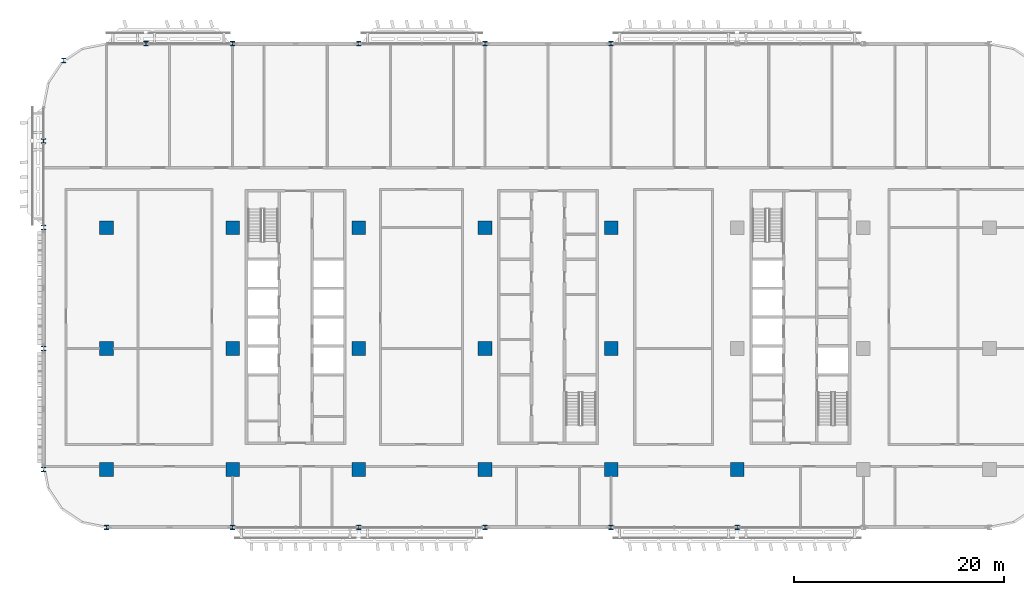
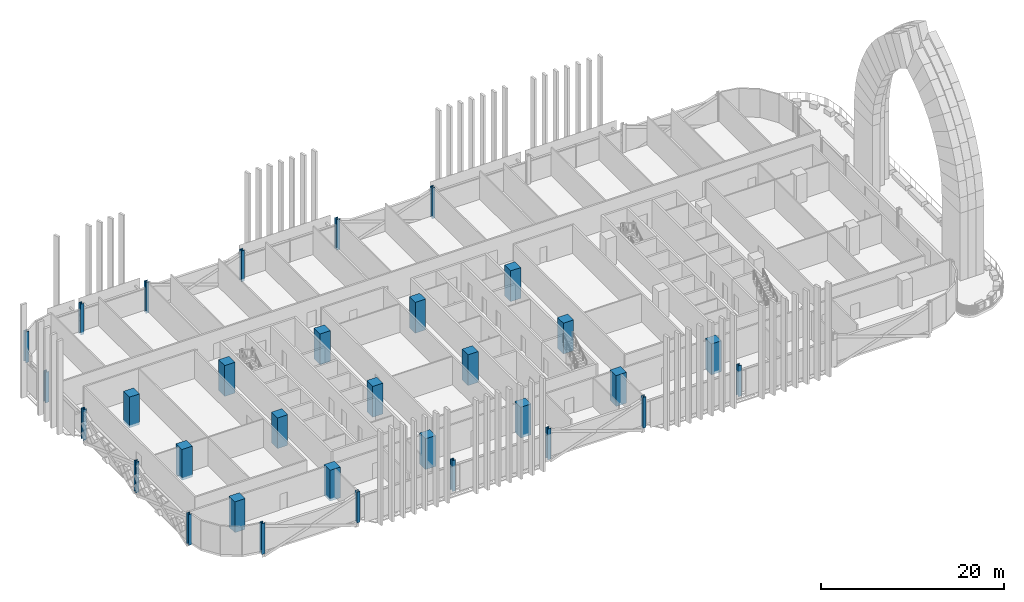
# One storey, part 1 of 33: 32 columns.
"""IFC4 building model written with IfcOpenShell, lengths in metres."""

from ifc_helpers import new_model, si_unit, direction, frame, origin, origin_2d, place, context, subcontext, project, spatial, rectangle, i_section, extrude, material, material_profile, profile_set, type_object, element, save


model = new_model("IFC4")

# Units and contexts
model_context = context("Model", 3, precision=1e-05, world=origin(), true_north=direction((0.0, 1.0)))
body_context = subcontext(model_context, "Body", "Model", "MODEL_VIEW")
ifc_project = project(units=[si_unit("LENGTHUNIT", "METRE"), si_unit("AREAUNIT", "SQUARE_METRE"), si_unit("VOLUMEUNIT", "CUBIC_METRE"), si_unit("PLANEANGLEUNIT", "RADIAN"), si_unit("MASSUNIT", "GRAM", prefix="KILO")], contexts=[model_context])

# Site, building, storey
site_placement = place(None, origin())
site = spatial("IfcSite", under=ifc_project, at=site_placement, CompositionType="ELEMENT")
building_placement = place(site_placement, origin())
building = spatial("IfcBuilding", under=site, at=building_placement, Name="Mahtab Terrace Research Tower", CompositionType="ELEMENT")
storey_placement = place(building_placement, frame((0.0, 0.0, 122.0)))
storey = spatial("IfcBuildingStorey", under=building, at=storey_placement, Name="L28", CompositionType="ELEMENT", Elevation=122.0)

# Columns
ifc_material_1 = material(Name="Concrete C70/85", Category="concrete")
ifc_material_profile_1 = material_profile(ifc_material_1, rectangle(XDim=1.300048828125, YDim=1.300048828125, at=origin_2d()), Name="RC column 1300x1300")
ifc_profile_set_1 = profile_set([ifc_material_profile_1], Name="Concrete C70/85")
column_type_1 = type_object("IfcColumnType", Name="RC column 1300x1300", PredefinedType="COLUMN", material=ifc_profile_set_1)
for number, where, z_axis, x_axis, name in (
    (1, (-42.0, -11.5, -0.340087890625), (0.0, 0.0, 1.0), (1.0, 0.0, 0.0), "Column RC-1A L28"),
    (2, (-42.0, 0.0, -0.340087890625), (0.0, 0.0, 1.0), (1.0, 0.0, 0.0), "Column RC-1B L28"),
    (3, (-42.0, 11.5, -0.340087890625), (0.0, 0.0, 1.0), (1.0, 0.0, 0.0), "Column RC-1C L28"),
    (4, (-30.0, -11.5, -0.340087890625), (0.0, 0.0, 1.0), (1.0, 0.0, 0.0), "Column RC-2A L28"),
    (5, (-30.0, 0.0, -0.340087890625), (0.0, 0.0, 1.0), (1.0, 0.0, 0.0), "Column RC-2B L28"),
    (6, (-30.0, 11.5, -0.340087890625), (0.0, 0.0, 1.0), (1.0, 0.0, 0.0), "Column RC-2C L28"),
    (7, (-18.0, -11.5, -0.340087890625), (0.0, 0.0, 1.0), (1.0, 0.0, 0.0), "Column RC-3A L28"),
    (8, (-18.0, 0.0, -0.340087890625), (0.0, 0.0, 1.0), (1.0, 0.0, 0.0), "Column RC-3B L28"),
    (9, (-18.0, 11.5, -0.340087890625), (0.0, 0.0, 1.0), (1.0, 0.0, 0.0), "Column RC-3C L28"),
    (10, (-6.0, -11.5, -0.340087890625), (0.0, 0.0, 1.0), (1.0, 0.0, 0.0), "Column RC-4A L28"),
    (11, (-6.0, 0.0, -0.340087890625), (0.0, 0.0, 1.0), (1.0, 0.0, 0.0), "Column RC-4B L28"),
    (12, (-6.0, 11.5, -0.340087890625), (0.0, 0.0, 1.0), (1.0, 0.0, 0.0), "Column RC-4C L28"),
    (13, (6.0, -11.5, -0.340087890625), (0.0, 0.0, 1.0), (1.0, 0.0, 0.0), "Column RC-5A L28"),
    (14, (6.0, 0.0, -0.340087890625), (0.0, 0.0, 1.0), (1.0, 0.0, 0.0), "Column RC-5B L28"),
    (15, (6.0, 11.5, -0.340087890625), (0.0, 0.0, 1.0), (1.0, 0.0, 0.0), "Column RC-5C L28"),
    (16, (18.0, -11.5, -0.340087890625), (0.0, 0.0, 1.0), (1.0, 0.0, 0.0), "Column RC-6A L28"),
):
    element("IfcColumn", number, at=place(storey_placement, frame(where, z_axis=z_axis, x_axis=x_axis)), inside=storey, type_object=column_type_1, Name=name, PredefinedType="COLUMN", context=body_context, shape_type="SweptSolid", body=[
        extrude(rectangle(XDim=1.300048828125, YDim=1.300048828125, at=origin_2d()), origin(), (0.0, 0.0, 1.0), 4.10009765625),
    ])
ifc_material_2 = material(Name="Steel ASTM A992 Gr 50", Category="steel")
ifc_material_profile_2 = material_profile(ifc_material_2, i_section(OverallWidth=0.41162109375, OverallDepth=0.434326171875, WebThickness=0.035888671875, FlangeThickness=0.057373046875, at=origin_2d()), Name="W14X311")
ifc_profile_set_2 = profile_set([ifc_material_profile_2], Name="Steel ASTM A992 Gr 50")
column_type_2 = type_object("IfcColumnType", Name="W14x311 column CS14311", PredefinedType="COLUMN", material=ifc_profile_set_2)
for number, where, z_axis, x_axis, name in (
    (17, (6.0, 29.0, -0.340087890625), (0.0, 0.0, 1.0), (1.0, 0.0, 0.0), "Column SC-034 L28"),
    (18, (-6.0, 29.0, -0.340087890625), (0.0, 0.0, 1.0), (1.0, 0.0, 0.0), "Column SC-035 L28"),
    (19, (-18.0, 29.0, -0.340087890625), (0.0, 0.0, 1.0), (1.0, 0.0, 0.0), "Column SC-036 L28"),
    (20, (-30.0, 29.0, -0.340087890625), (0.0, 0.0, 1.0), (1.0, 0.0, 0.0), "Column SC-037 L28"),
    (21, (-38.23095703125, 29.0, -0.340087890625), (0.0, 0.0, 1.0), (1.0, 0.0, 0.0), "Column SC-046 L28"),
    (22, (-46.06201171875, 27.416015625, -0.340087890625), (0.0, 0.0, 1.0), (1.0, 0.0, 0.0), "Column SC-047 L28"),
    (23, (-48.0, 19.73095703125, -0.340087890625), (0.0, 0.0, 1.0), (1.0, 0.0, 0.0), "Column SC-048 L28"),
    (24, (-48.0, 11.5, -0.340087890625), (0.0, 0.0, 1.0), (1.0, 0.0, 0.0), "Column SC-009 L28"),
    (25, (-48.0, 0.0, -0.340087890625), (0.0, 0.0, 1.0), (1.0, 0.0, 0.0), "Column SC-010 L28"),
    (26, (-48.0, -11.5, -0.340087890625), (0.0, 0.0, 1.0), (1.0, 0.0, 0.0), "Column SC-011 L28"),
    (27, (-42.0, -17.0, -0.340087890625), (0.0, 0.0, 1.0), (1.0, 0.0, 0.0), "Column SC-049 L28"),
    (28, (-30.0, -17.0, -0.340087890625), (0.0, 0.0, 1.0), (1.0, 0.0, 0.0), "Column SC-039 L28"),
    (29, (-18.0, -17.0, -0.340087890625), (0.0, 0.0, 1.0), (1.0, 0.0, 0.0), "Column SC-040 L28"),
    (30, (-6.0, -17.0, -0.340087890625), (0.0, 0.0, 1.0), (1.0, 0.0, 0.0), "Column SC-041 L28"),
    (31, (6.0, -17.0, -0.340087890625), (0.0, 0.0, 1.0), (1.0, 0.0, 0.0), "Column SC-042 L28"),
    (32, (18.0, -17.0, -0.340087890625), (0.0, 0.0, 1.0), (1.0, 0.0, 0.0), "Column SC-043 L28"),
):
    element("IfcColumn", number, at=place(storey_placement, frame(where, z_axis=z_axis, x_axis=x_axis)), inside=storey, type_object=column_type_2, Name=name, PredefinedType="COLUMN", context=body_context, shape_type="SweptSolid", body=[
        extrude(i_section(OverallWidth=0.41162109375, OverallDepth=0.434326171875, WebThickness=0.035888671875, FlangeThickness=0.057373046875, at=origin_2d()), origin(), (0.0, 0.0, 1.0), 4.10009765625),
    ])

save(model, "model.ifc")
